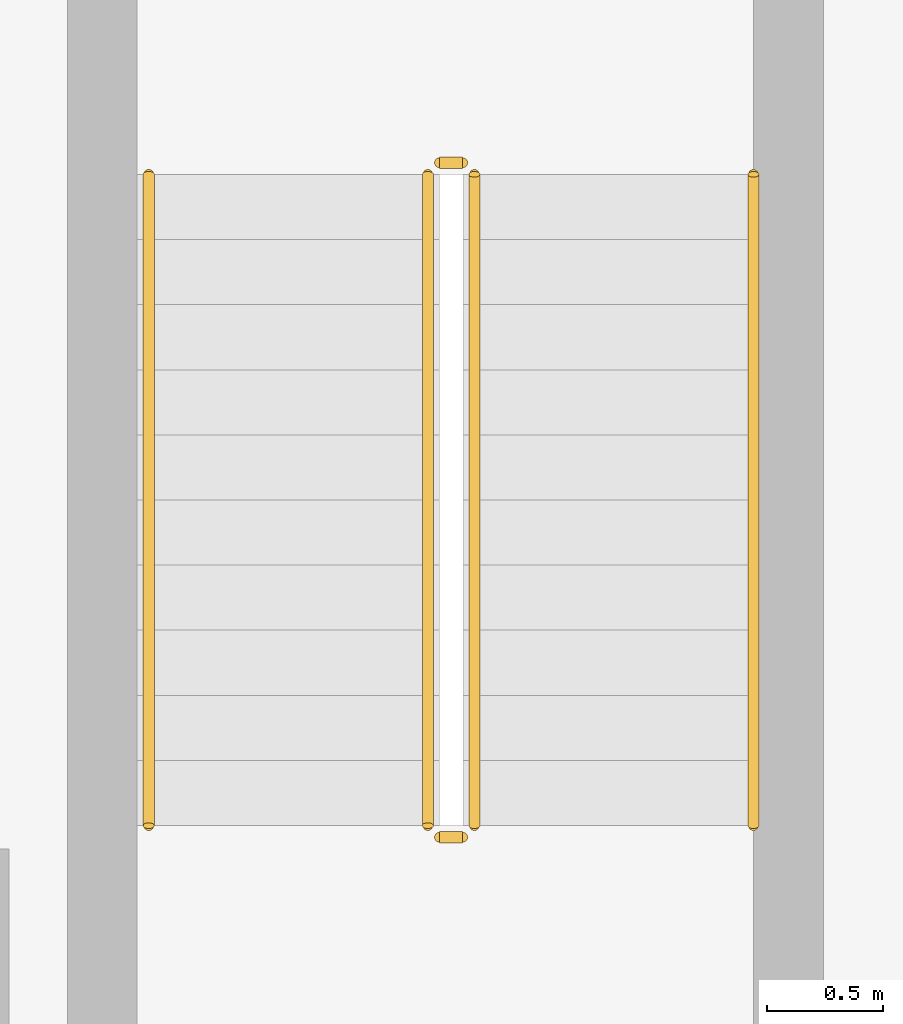
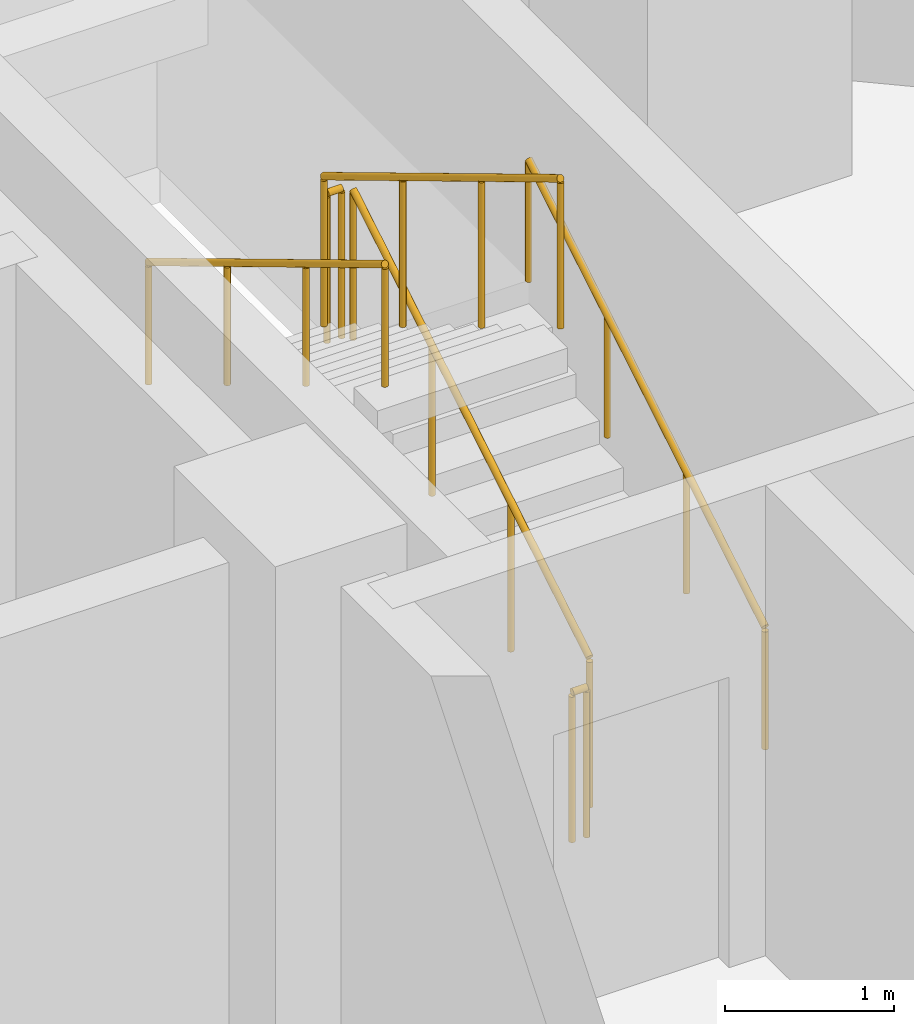
# One storey, part 35 of 36: 6 railings.
"""IFC4 building model written with IfcOpenShell, lengths in metres."""

import ifcopenshell
import ifcopenshell.guid

model = None  # the IFC model being written
_history = None  # IfcOwnerHistory: only IFC2X3 demands one
_inside = {}  # id of a spatial element -> (the spatial element, [elements in it])
_under = {}  # id of a project, library or spatial element -> (it, [spatial elements below it])
_declared = {}  # id of a project -> (the project, [libraries it declares])
_typed = {}  # id of a type object -> (the type object, [elements of that type])
_made_of = {}  # id of a material, layer set ... -> (it, [elements and type objects made of it])


def new_model(schema):
    """Start an empty IFC model of exactly this schema.

    Asked for "IFC4X3", IfcOpenShell would pick the latest addendum, in which some entities
    have other attributes; the version numbers below select the first issue.
    IFC2X3 requires an IfcOwnerHistory on every rooted entity: one is made here for all.
    """
    global model, _history
    if schema == "IFC4X3":
        model = ifcopenshell.file(schema_version=(4, 3, 0, 0))
    else:
        model = ifcopenshell.file(schema=schema)
    _inside.clear()
    _under.clear()
    _declared.clear()
    _typed.clear()
    _made_of.clear()
    _history = None
    if model.schema == "IFC2X3":
        org = make("IfcOrganization", Name="unknown")
        user = make(
            "IfcPersonAndOrganization",
            ThePerson=make("IfcPerson", FamilyName="unknown"),
            TheOrganization=org,
        )
        app = make(
            "IfcApplication",
            ApplicationDeveloper=org,
            Version="unknown",
            ApplicationFullName="unknown",
            ApplicationIdentifier="unknown",
        )
        _history = make(
            "IfcOwnerHistory",
            OwningUser=user,
            OwningApplication=app,
            ChangeAction="ADDED",
            CreationDate=0,
        )
    return model


def make(cls, **values):
    """One entity of the class cls with the attributes given. An attribute that is None is left unset."""
    return model.create_entity(
        cls, **{name: value for name, value in values.items() if value is not None}
    )


def rooted(cls, **values):
    """An entity with a GlobalId (a new one), such as an element, a storey or a relation."""
    return make(cls, GlobalId=ifcopenshell.guid.new(), OwnerHistory=_history, **values)


def si_unit(unit_type, name, prefix=None):
    """IfcSIUnit, for example si_unit("LENGTHUNIT", "METRE", prefix="MILLI")."""
    return make("IfcSIUnit", UnitType=unit_type, Prefix=prefix, Name=name)


def assignment(units):
    """IfcUnitAssignment: the units of a project."""
    return None if units is None else make("IfcUnitAssignment", Units=units)


def point(xyz):
    """IfcCartesianPoint."""
    return None if xyz is None else make("IfcCartesianPoint", Coordinates=xyz)


def direction(xyz):
    """IfcDirection."""
    return None if xyz is None else make("IfcDirection", DirectionRatios=xyz)


def frame(location, z_axis=None, x_axis=None):
    """IfcAxis2Placement3D, a coordinate frame: its origin and axes. An axis left out is left unset."""
    return make(
        "IfcAxis2Placement3D",
        Location=point(location),
        Axis=direction(z_axis),
        RefDirection=direction(x_axis),
    )


def frame_2d(location, x_axis=None):
    """IfcAxis2Placement2D, a coordinate frame in the plane: its origin and x axis."""
    return make(
        "IfcAxis2Placement2D", Location=point(location), RefDirection=direction(x_axis)
    )


def origin():
    """The frame at (0, 0, 0) with its axes left unset."""
    return frame((0.0, 0.0, 0.0))


def origin_2d():
    """The frame at (0, 0) in the plane with its x axis left unset."""
    return frame_2d((0.0, 0.0))


def place(relative_to, where):
    """IfcLocalPlacement: puts the frame where relative to a parent placement (None: the world)."""
    return make(
        "IfcLocalPlacement", PlacementRelTo=relative_to, RelativePlacement=where
    )


def context(
    kind, dimensions, precision=None, world=None, true_north=None, identifier=None
):
    """IfcGeometricRepresentationContext, for example the 3D "Model" context."""
    return make(
        "IfcGeometricRepresentationContext",
        ContextIdentifier=identifier,
        ContextType=kind,
        CoordinateSpaceDimension=dimensions,
        Precision=precision,
        WorldCoordinateSystem=world,
        TrueNorth=true_north,
    )


def subcontext(parent, identifier, kind, view, scale=None):
    """IfcGeometricRepresentationSubContext, for example "Body" below "Model"."""
    return make(
        "IfcGeometricRepresentationSubContext",
        ContextIdentifier=identifier,
        ContextType=kind,
        ParentContext=parent,
        TargetScale=scale,
        TargetView=view,
    )


def project(units=None, contexts=None):
    """IfcProject with its units and contexts."""
    return rooted(
        "IfcProject",
        Name="project",
        RepresentationContexts=contexts,
        UnitsInContext=assignment(units),
    )


def spatial(cls, under=None, at=None, **own):
    """A site, building, storey or space (cls), placed at a placement, below another one or the project."""
    s = rooted(cls, ObjectPlacement=at, **own)
    if under is not None:
        _under.setdefault(under.id(), (under, []))[1].append(s)
    return s


def profile(cls, at=None, kind="AREA", **sizes):
    """A parametric profile (cls). Its sizes go by their IFC names, for example OverallWidth=200.0."""
    return make(cls, ProfileType=kind, Position=at, **sizes)


def circle(**sizes):
    """IfcCircleProfileDef."""
    return profile("IfcCircleProfileDef", **sizes)


def extrude(swept, where, along, depth):
    """IfcExtrudedAreaSolid: the profile swept, set in the frame where, extruded along a direction by depth."""
    return make(
        "IfcExtrudedAreaSolid",
        SweptArea=swept,
        Position=where,
        ExtrudedDirection=direction(along),
        Depth=depth,
    )


def shape(context_of_items, identifier, shape_type, items):
    """IfcShapeRepresentation: the items that make up one representation, for example the "Body"."""
    return make(
        "IfcShapeRepresentation",
        ContextOfItems=context_of_items,
        RepresentationIdentifier=identifier,
        RepresentationType=shape_type,
        Items=items,
    )


def material(Name=None, Category=None):
    """IfcMaterial."""
    return make("IfcMaterial", Name=Name, Category=Category)


def made_of(thing, what):
    """Note that an element or type object is made of a material, layer set ...; save() writes the relation."""
    if what is not None:
        _made_of.setdefault(what.id(), (what, []))[1].append(thing)
    return thing


def type_object(cls, material=None, **own):
    """A type object (cls), such as IfcWallType, which elements share."""
    return made_of(rooted(cls, **own), material)


def element(
    cls,
    number,
    at=None,
    inside=None,
    cuts=None,
    type_object=None,
    material=None,
    context=None,
    identifier="Body",
    shape_type=None,
    held_by="IfcProductDefinitionShape",
    body=None,
    shapes=None,
    **own,
):
    """One element of the class cls, such as IfcWall. Its Tag is "e" and its number.

    at: its placement. inside: the storey or other place that contains it. cuts: it is an
    opening in that element (IfcRelVoidsElement). A single representation is given by context,
    identifier, shape_type and body (its items); several are given by shapes. held_by: the class
    of the entity that holds the representations. save() writes the other relations.
    """
    e = rooted(cls, Tag="e%d" % number, ObjectPlacement=at, **own)
    if body is not None:
        shapes = [shape(context, identifier, shape_type, body)]
    if shapes is not None:
        e.Representation = make(held_by, Representations=shapes)
    if inside is not None:
        _inside.setdefault(inside.id(), (inside, []))[1].append(e)
    if cuts is not None:
        rooted(
            "IfcRelVoidsElement", RelatingBuildingElement=cuts, RelatedOpeningElement=e
        )
    if type_object is not None:
        _typed.setdefault(type_object.id(), (type_object, []))[1].append(e)
    return made_of(e, material)


def aggregate(whole, parts):
    """IfcRelAggregates: a whole, such as a stair, and the parts it consists of."""
    return rooted("IfcRelAggregates", RelatingObject=whole, RelatedObjects=parts)


def save(model, path):
    """Write the relations noted so far, then the file.

    IfcRelAggregates (storeys below a building ...), IfcRelContainedInSpatialStructure (elements
    in a storey), IfcRelDefinesByType, IfcRelAssociatesMaterial and IfcRelDeclares: one each for
    every whole, place, type object, material and project.
    """
    for whole, parts in _under.values():
        aggregate(whole, parts)
    for where, things in _inside.values():
        rooted(
            "IfcRelContainedInSpatialStructure",
            RelatedElements=things,
            RelatingStructure=where,
        )
    for kind, things in _typed.values():
        rooted("IfcRelDefinesByType", RelatedObjects=things, RelatingType=kind)
    for what, things in _made_of.values():
        rooted("IfcRelAssociatesMaterial", RelatedObjects=things, RelatingMaterial=what)
    for by, libraries in _declared.values():
        rooted("IfcRelDeclares", RelatingContext=by, RelatedDefinitions=libraries)
    model.write(path)


model = new_model("IFC4")

# Units and contexts
model_context = context("Model", 3, precision=1e-05, world=origin(), true_north=direction((0.0, 1.0)))
body_context = subcontext(model_context, "Body", "Model", "MODEL_VIEW")
ifc_project = project(units=[si_unit("LENGTHUNIT", "METRE"), si_unit("AREAUNIT", "SQUARE_METRE"), si_unit("VOLUMEUNIT", "CUBIC_METRE"), si_unit("PLANEANGLEUNIT", "RADIAN"), si_unit("MASSUNIT", "GRAM", prefix="KILO")], contexts=[model_context])

# Site, building, storey
site_placement = place(None, origin())
site = spatial("IfcSite", under=ifc_project, at=site_placement, CompositionType="ELEMENT")
building_placement = place(site_placement, origin())
building = spatial("IfcBuilding", under=site, at=building_placement, Name="Ogive Portal Towers", CompositionType="ELEMENT")
storey_placement = place(building_placement, frame((0.0, 0.0, 48.300048828125)))
storey = spatial("IfcBuildingStorey", under=building, at=storey_placement, Name="L10", CompositionType="ELEMENT", Elevation=48.300048828125)

# Railings
ifc_material_1 = material(Name="Stainless steel balustrade", Category="steel")
railing_type_1 = type_object("IfcRailingType", Name="INT-GUARD", PredefinedType="GUARDRAIL", material=ifc_material_1)
railing_1_placement = place(storey_placement, frame((42.949951171875, 67.199951171875, 0.168212890625)))
element("IfcRailing", 1, at=railing_1_placement, inside=storey, type_object=railing_type_1, Name="L10 ST-A3 stair guard 1", PredefinedType="GUARDRAIL", context=body_context, shape_type="SweptSolid", body=[
    extrude(circle(Radius=0.02392578125, at=origin_2d()), frame((0.0, 0.0, 1.076171875), z_axis=(0.0, 0.857275202839, 0.514858452973), x_axis=(-1.0, 0.0, 0.0)), (0.0, 0.0, 1.0), 3.26611328125),
    extrude(circle(Radius=0.02099609375, at=origin_2d()), origin(), (0.0, 0.0, 1.0), 1.052001953125),
    extrude(circle(Radius=0.02099609375, at=origin_2d()), frame((0.0, 0.933349609375, 0.560546875)), (0.0, 0.0, 1.0), 1.052001953125),
    extrude(circle(Radius=0.02099609375, at=origin_2d()), frame((0.0, 1.86669921875, 1.12109375)), (0.0, 0.0, 1.0), 1.052001953125),
    extrude(circle(Radius=0.02099609375, at=origin_2d()), frame((0.0, 2.800048828125, 1.681640625)), (0.0, 0.0, 1.0), 1.052001953125),
])
railing_2_placement = place(storey_placement, frame((42.89990234375, 70.050048828125, 1.849853515625)))
element("IfcRailing", 2, at=railing_2_placement, inside=storey, type_object=railing_type_1, Name="L10 ST-A3 stair guard 2", PredefinedType="GUARDRAIL", context=body_context, shape_type="SweptSolid", body=[
    extrude(circle(Radius=0.02392578125, at=origin_2d()), frame((0.0, 0.0, 1.076171875), z_axis=(-1.0, 0.0, 0.0), x_axis=(0.0, -1.0, 0.0)), (0.0, 0.0, 1.0), 0.099853515625),
    extrude(circle(Radius=0.02099609375, at=origin_2d()), origin(), (0.0, 0.0, 1.0), 1.052001953125),
    extrude(circle(Radius=0.02099609375, at=origin_2d()), frame((-0.099853515625, 0.0, 0.0)), (0.0, 0.0, 1.0), 1.052001953125),
])
railing_3_placement = place(storey_placement, frame((42.75, 70.0, 2.01806640625)))
element("IfcRailing", 3, at=railing_3_placement, inside=storey, type_object=railing_type_1, Name="L10 ST-A3 stair guard 3", PredefinedType="GUARDRAIL", context=body_context, shape_type="SweptSolid", body=[
    extrude(circle(Radius=0.02392578125, at=origin_2d()), frame((0.0, 0.0, 1.076171875), z_axis=(0.0, -0.857242210791, 0.514913383045), x_axis=(1.0, 0.0, 0.0)), (0.0, 0.0, 1.0), 3.266357421875),
    extrude(circle(Radius=0.02099609375, at=origin_2d()), origin(), (0.0, 0.0, 1.0), 1.052001953125),
    extrude(circle(Radius=0.02099609375, at=origin_2d()), frame((0.0, -0.933349609375, 0.560546875)), (0.0, 0.0, 1.0), 1.052001953125),
    extrude(circle(Radius=0.02099609375, at=origin_2d()), frame((0.0, -1.86669921875, 1.121337890625)), (0.0, 0.0, 1.0), 1.052001953125),
    extrude(circle(Radius=0.02099609375, at=origin_2d()), frame((0.0, -2.800048828125, 1.681884765625)), (0.0, 0.0, 1.0), 1.052001953125),
])
railing_4_placement = place(storey_placement, frame((42.89990234375, 67.14990234375, 0.0)))
element("IfcRailing", 4, at=railing_4_placement, inside=storey, type_object=railing_type_1, Name="L10 ST-A3 stair guard 4", PredefinedType="GUARDRAIL", context=body_context, shape_type="SweptSolid", body=[
    extrude(circle(Radius=0.02392578125, at=origin_2d()), frame((0.0, 0.0, 1.076171875), z_axis=(-1.0, 0.0, 0.0), x_axis=(0.0, -1.0, 0.0)), (0.0, 0.0, 1.0), 0.099853515625),
    extrude(circle(Radius=0.02099609375, at=origin_2d()), origin(), (0.0, 0.0, 1.0), 1.052001953125),
    extrude(circle(Radius=0.02099609375, at=origin_2d()), frame((-0.099853515625, 0.0, 0.0)), (0.0, 0.0, 1.0), 1.052001953125),
])
ifc_material_2 = material(Name="Stainless steel handrail", Category="steel")
railing_type_2 = type_object("IfcRailingType", Name="INT-HANDRAIL", PredefinedType="HANDRAIL", material=ifc_material_2)
railing_5_placement = place(storey_placement, frame((44.14990234375, 67.199951171875, 0.168212890625)))
element("IfcRailing", 5, at=railing_5_placement, inside=storey, type_object=railing_type_2, Name="L10 ST-A3 stair handrail 1", PredefinedType="HANDRAIL", context=body_context, shape_type="SweptSolid", body=[
    extrude(circle(Radius=0.02392578125, at=origin_2d()), frame((0.0, 0.0, 0.8759765625), z_axis=(0.0, 0.857275202839, 0.514858452973), x_axis=(-1.0, 0.0, 0.0)), (0.0, 0.0, 1.0), 3.26611328125),
    extrude(circle(Radius=0.02099609375, at=origin_2d()), origin(), (0.0, 0.0, 1.0), 0.851806640625),
    extrude(circle(Radius=0.02099609375, at=origin_2d()), frame((0.0, 0.933349609375, 0.560546875)), (0.0, 0.0, 1.0), 0.851806640625),
    extrude(circle(Radius=0.02099609375, at=origin_2d()), frame((0.0, 1.86669921875, 1.12109375)), (0.0, 0.0, 1.0), 0.851806640625),
    extrude(circle(Radius=0.02099609375, at=origin_2d()), frame((0.0, 2.800048828125, 1.681640625)), (0.0, 0.0, 1.0), 0.851806640625),
])
railing_6_placement = place(storey_placement, frame((41.550048828125, 70.0, 2.01806640625)))
element("IfcRailing", 6, at=railing_6_placement, inside=storey, type_object=railing_type_2, Name="L10 ST-A3 stair handrail 2", PredefinedType="HANDRAIL", context=body_context, shape_type="SweptSolid", body=[
    extrude(circle(Radius=0.02392578125, at=origin_2d()), frame((0.0, 0.0, 0.8759765625), z_axis=(0.0, -0.857242210791, 0.514913383045), x_axis=(1.0, 0.0, 0.0)), (0.0, 0.0, 1.0), 3.266357421875),
    extrude(circle(Radius=0.02099609375, at=origin_2d()), origin(), (0.0, 0.0, 1.0), 0.851806640625),
    extrude(circle(Radius=0.02099609375, at=origin_2d()), frame((0.0, -0.933349609375, 0.560546875)), (0.0, 0.0, 1.0), 0.851806640625),
    extrude(circle(Radius=0.02099609375, at=origin_2d()), frame((0.0, -1.86669921875, 1.121337890625)), (0.0, 0.0, 1.0), 0.851806640625),
    extrude(circle(Radius=0.02099609375, at=origin_2d()), frame((0.0, -2.800048828125, 1.681884765625)), (0.0, 0.0, 1.0), 0.851806640625),
])

save(model, "model.ifc")
